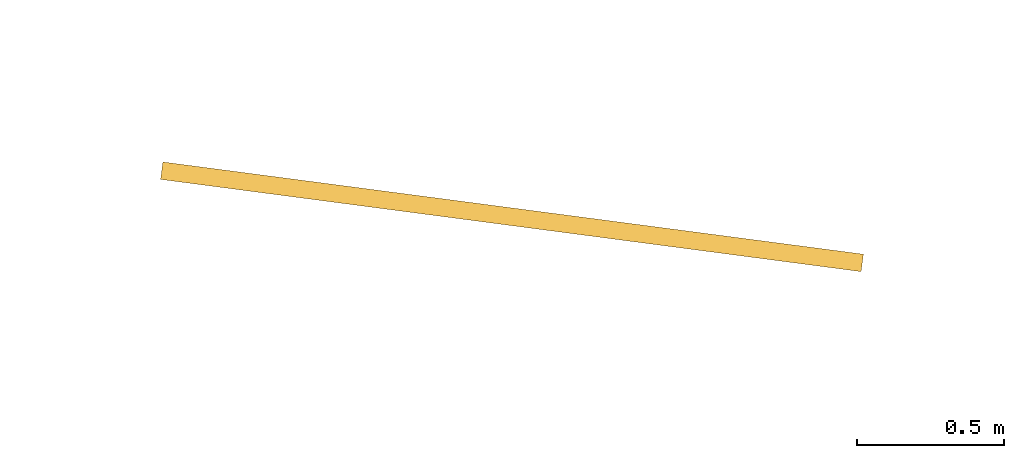
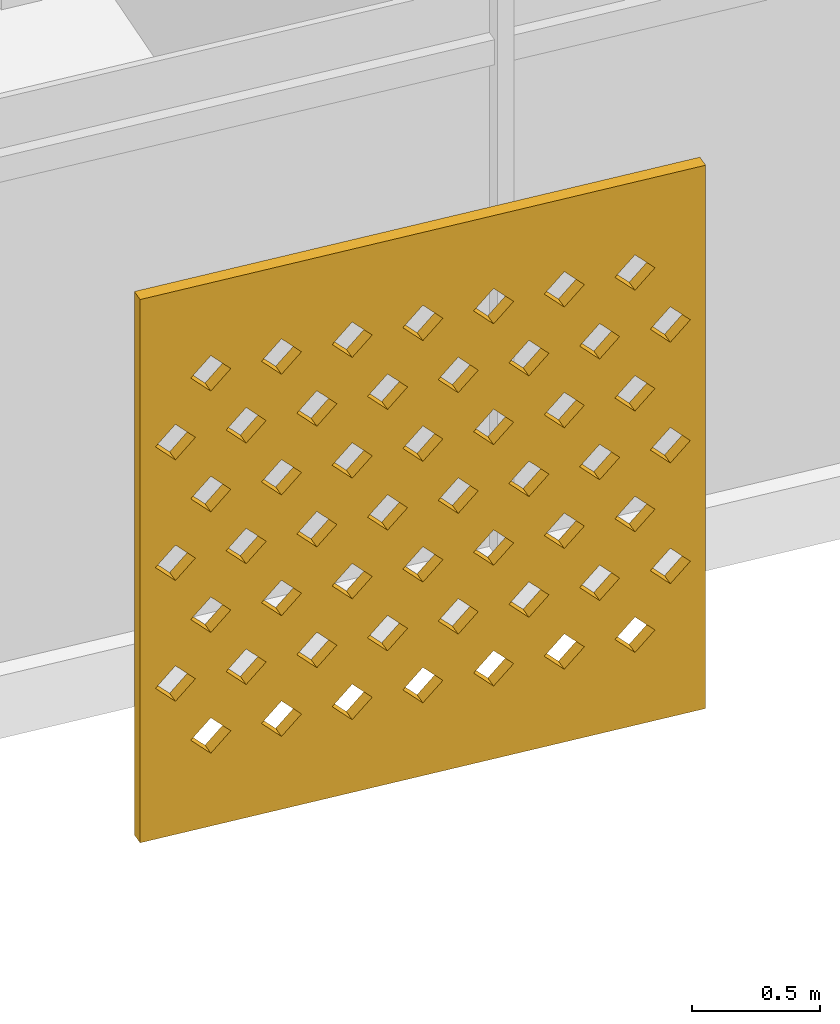
# One storey, part 23 of 27: 1 shading device.
"""IFC4 building model written with IfcOpenShell, lengths in metres."""

from ifc_helpers import new_model, si_unit, direction, frame, origin, place, context, subcontext, project, spatial, polyline, outline, extrude, material, material_profile, profile_set, type_object, element, save


model = new_model("IFC4")

# Units and contexts
model_context = context("Model", 3, precision=1e-05, world=origin(), true_north=direction((0.0, 1.0)))
body_context = subcontext(model_context, "Body", "Model", "MODEL_VIEW")
ifc_project = project(units=[si_unit("LENGTHUNIT", "METRE"), si_unit("AREAUNIT", "SQUARE_METRE"), si_unit("VOLUMEUNIT", "CUBIC_METRE"), si_unit("PLANEANGLEUNIT", "RADIAN"), si_unit("MASSUNIT", "GRAM", prefix="KILO")], contexts=[model_context])

# Site, building, storey
site_placement = place(None, origin())
site = spatial("IfcSite", under=ifc_project, at=site_placement, CompositionType="ELEMENT")
building_placement = place(site_placement, origin())
building = spatial("IfcBuilding", under=site, at=building_placement, Name="Qamariyya Broadcast Tower", CompositionType="ELEMENT")
storey_placement = place(building_placement, frame((0.0, 0.0, 153.10009765625)))
storey = spatial("IfcBuildingStorey", under=building, at=storey_placement, Name="L35", CompositionType="ELEMENT", Elevation=153.10009765625)

# Shading device
ifc_material = material(Name="Perforated glazed terracotta", Category="masonry")
ifc_material_profile = material_profile(ifc_material, outline(polyline([(-1.199951171875, -1.300048828125), (1.199951171875, -1.300048828125), (1.199951171875, 1.300048828125), (-1.199951171875, 1.300048828125), (-1.199951171875, -1.300048828125)]), holes=[polyline([(-0.81494140625, -0.86669921875), (-0.89990234375, -0.78173828125), (-0.985107421875, -0.86669921875), (-0.89990234375, -0.95166015625), (-0.81494140625, -0.86669921875)]), polyline([(-0.514892578125, -0.86669921875), (-0.60009765625, -0.78173828125), (-0.68505859375, -0.86669921875), (-0.60009765625, -0.95166015625), (-0.514892578125, -0.86669921875)]), polyline([(-0.215087890625, -0.86669921875), (-0.300048828125, -0.78173828125), (-0.385009765625, -0.86669921875), (-0.300048828125, -0.95166015625), (-0.215087890625, -0.86669921875)]), polyline([(0.0849609375, -0.86669921875), (0.0, -0.78173828125), (-0.0849609375, -0.86669921875), (0.0, -0.95166015625), (0.0849609375, -0.86669921875)]), polyline([(0.385009765625, -0.86669921875), (0.300048828125, -0.78173828125), (0.215087890625, -0.86669921875), (0.300048828125, -0.95166015625), (0.385009765625, -0.86669921875)]), polyline([(0.68505859375, -0.86669921875), (0.60009765625, -0.78173828125), (0.514892578125, -0.86669921875), (0.60009765625, -0.95166015625), (0.68505859375, -0.86669921875)]), polyline([(0.985107421875, -0.86669921875), (0.89990234375, -0.78173828125), (0.81494140625, -0.86669921875), (0.89990234375, -0.95166015625), (0.985107421875, -0.86669921875)]), polyline([(-0.965087890625, -0.577880859375), (-1.050048828125, -0.49267578125), (-1.135009765625, -0.577880859375), (-1.050048828125, -0.662841796875), (-0.965087890625, -0.577880859375)]), polyline([(-0.6650390625, -0.577880859375), (-0.75, -0.49267578125), (-0.8349609375, -0.577880859375), (-0.75, -0.662841796875), (-0.6650390625, -0.577880859375)]), polyline([(-0.364990234375, -0.577880859375), (-0.449951171875, -0.49267578125), (-0.534912109375, -0.577880859375), (-0.449951171875, -0.662841796875), (-0.364990234375, -0.577880859375)]), polyline([(-0.06494140625, -0.577880859375), (-0.14990234375, -0.49267578125), (-0.235107421875, -0.577880859375), (-0.14990234375, -0.662841796875), (-0.06494140625, -0.577880859375)]), polyline([(0.235107421875, -0.577880859375), (0.14990234375, -0.49267578125), (0.06494140625, -0.577880859375), (0.14990234375, -0.662841796875), (0.235107421875, -0.577880859375)]), polyline([(0.534912109375, -0.577880859375), (0.449951171875, -0.49267578125), (0.364990234375, -0.577880859375), (0.449951171875, -0.662841796875), (0.534912109375, -0.577880859375)]), polyline([(0.8349609375, -0.577880859375), (0.75, -0.49267578125), (0.6650390625, -0.577880859375), (0.75, -0.662841796875), (0.8349609375, -0.577880859375)]), polyline([(1.135009765625, -0.577880859375), (1.050048828125, -0.49267578125), (0.965087890625, -0.577880859375), (1.050048828125, -0.662841796875), (1.135009765625, -0.577880859375)]), polyline([(-0.81494140625, -0.288818359375), (-0.89990234375, -0.203857421875), (-0.985107421875, -0.288818359375), (-0.89990234375, -0.373779296875), (-0.81494140625, -0.288818359375)]), polyline([(-0.514892578125, -0.288818359375), (-0.60009765625, -0.203857421875), (-0.68505859375, -0.288818359375), (-0.60009765625, -0.373779296875), (-0.514892578125, -0.288818359375)]), polyline([(-0.215087890625, -0.288818359375), (-0.300048828125, -0.203857421875), (-0.385009765625, -0.288818359375), (-0.300048828125, -0.373779296875), (-0.215087890625, -0.288818359375)]), polyline([(0.0849609375, -0.288818359375), (0.0, -0.203857421875), (-0.0849609375, -0.288818359375), (0.0, -0.373779296875), (0.0849609375, -0.288818359375)]), polyline([(0.385009765625, -0.288818359375), (0.300048828125, -0.203857421875), (0.215087890625, -0.288818359375), (0.300048828125, -0.373779296875), (0.385009765625, -0.288818359375)]), polyline([(0.68505859375, -0.288818359375), (0.60009765625, -0.203857421875), (0.514892578125, -0.288818359375), (0.60009765625, -0.373779296875), (0.68505859375, -0.288818359375)]), polyline([(0.985107421875, -0.288818359375), (0.89990234375, -0.203857421875), (0.81494140625, -0.288818359375), (0.89990234375, -0.373779296875), (0.985107421875, -0.288818359375)]), polyline([(-0.965087890625, 0.0), (-1.050048828125, 0.0849609375), (-1.135009765625, 0.0), (-1.050048828125, -0.0849609375), (-0.965087890625, 0.0)]), polyline([(-0.6650390625, 0.0), (-0.75, 0.0849609375), (-0.8349609375, 0.0), (-0.75, -0.0849609375), (-0.6650390625, 0.0)]), polyline([(-0.364990234375, 0.0), (-0.449951171875, 0.0849609375), (-0.534912109375, 0.0), (-0.449951171875, -0.0849609375), (-0.364990234375, 0.0)]), polyline([(-0.06494140625, 0.0), (-0.14990234375, 0.0849609375), (-0.235107421875, 0.0), (-0.14990234375, -0.0849609375), (-0.06494140625, 0.0)]), polyline([(0.235107421875, 0.0), (0.14990234375, 0.0849609375), (0.06494140625, 0.0), (0.14990234375, -0.0849609375), (0.235107421875, 0.0)]), polyline([(0.534912109375, 0.0), (0.449951171875, 0.0849609375), (0.364990234375, 0.0), (0.449951171875, -0.0849609375), (0.534912109375, 0.0)]), polyline([(0.8349609375, 0.0), (0.75, 0.0849609375), (0.6650390625, 0.0), (0.75, -0.0849609375), (0.8349609375, 0.0)]), polyline([(1.135009765625, 0.0), (1.050048828125, 0.0849609375), (0.965087890625, 0.0), (1.050048828125, -0.0849609375), (1.135009765625, 0.0)]), polyline([(-0.81494140625, 0.288818359375), (-0.89990234375, 0.373779296875), (-0.985107421875, 0.288818359375), (-0.89990234375, 0.203857421875), (-0.81494140625, 0.288818359375)]), polyline([(-0.514892578125, 0.288818359375), (-0.60009765625, 0.373779296875), (-0.68505859375, 0.288818359375), (-0.60009765625, 0.203857421875), (-0.514892578125, 0.288818359375)]), polyline([(-0.215087890625, 0.288818359375), (-0.300048828125, 0.373779296875), (-0.385009765625, 0.288818359375), (-0.300048828125, 0.203857421875), (-0.215087890625, 0.288818359375)]), polyline([(0.0849609375, 0.288818359375), (0.0, 0.373779296875), (-0.0849609375, 0.288818359375), (0.0, 0.203857421875), (0.0849609375, 0.288818359375)]), polyline([(0.385009765625, 0.288818359375), (0.300048828125, 0.373779296875), (0.215087890625, 0.288818359375), (0.300048828125, 0.203857421875), (0.385009765625, 0.288818359375)]), polyline([(0.68505859375, 0.288818359375), (0.60009765625, 0.373779296875), (0.514892578125, 0.288818359375), (0.60009765625, 0.203857421875), (0.68505859375, 0.288818359375)]), polyline([(0.985107421875, 0.288818359375), (0.89990234375, 0.373779296875), (0.81494140625, 0.288818359375), (0.89990234375, 0.203857421875), (0.985107421875, 0.288818359375)]), polyline([(-0.965087890625, 0.577880859375), (-1.050048828125, 0.662841796875), (-1.135009765625, 0.577880859375), (-1.050048828125, 0.49267578125), (-0.965087890625, 0.577880859375)]), polyline([(-0.6650390625, 0.577880859375), (-0.75, 0.662841796875), (-0.8349609375, 0.577880859375), (-0.75, 0.49267578125), (-0.6650390625, 0.577880859375)]), polyline([(-0.364990234375, 0.577880859375), (-0.449951171875, 0.662841796875), (-0.534912109375, 0.577880859375), (-0.449951171875, 0.49267578125), (-0.364990234375, 0.577880859375)]), polyline([(-0.06494140625, 0.577880859375), (-0.14990234375, 0.662841796875), (-0.235107421875, 0.577880859375), (-0.14990234375, 0.49267578125), (-0.06494140625, 0.577880859375)]), polyline([(0.235107421875, 0.577880859375), (0.14990234375, 0.662841796875), (0.06494140625, 0.577880859375), (0.14990234375, 0.49267578125), (0.235107421875, 0.577880859375)]), polyline([(0.534912109375, 0.577880859375), (0.449951171875, 0.662841796875), (0.364990234375, 0.577880859375), (0.449951171875, 0.49267578125), (0.534912109375, 0.577880859375)]), polyline([(0.8349609375, 0.577880859375), (0.75, 0.662841796875), (0.6650390625, 0.577880859375), (0.75, 0.49267578125), (0.8349609375, 0.577880859375)]), polyline([(1.135009765625, 0.577880859375), (1.050048828125, 0.662841796875), (0.965087890625, 0.577880859375), (1.050048828125, 0.49267578125), (1.135009765625, 0.577880859375)]), polyline([(-0.81494140625, 0.86669921875), (-0.89990234375, 0.95166015625), (-0.985107421875, 0.86669921875), (-0.89990234375, 0.78173828125), (-0.81494140625, 0.86669921875)]), polyline([(-0.514892578125, 0.86669921875), (-0.60009765625, 0.95166015625), (-0.68505859375, 0.86669921875), (-0.60009765625, 0.78173828125), (-0.514892578125, 0.86669921875)]), polyline([(-0.215087890625, 0.86669921875), (-0.300048828125, 0.95166015625), (-0.385009765625, 0.86669921875), (-0.300048828125, 0.78173828125), (-0.215087890625, 0.86669921875)]), polyline([(0.0849609375, 0.86669921875), (0.0, 0.95166015625), (-0.0849609375, 0.86669921875), (0.0, 0.78173828125), (0.0849609375, 0.86669921875)]), polyline([(0.385009765625, 0.86669921875), (0.300048828125, 0.95166015625), (0.215087890625, 0.86669921875), (0.300048828125, 0.78173828125), (0.385009765625, 0.86669921875)]), polyline([(0.68505859375, 0.86669921875), (0.60009765625, 0.95166015625), (0.514892578125, 0.86669921875), (0.60009765625, 0.78173828125), (0.68505859375, 0.86669921875)]), polyline([(0.985107421875, 0.86669921875), (0.89990234375, 0.95166015625), (0.81494140625, 0.86669921875), (0.89990234375, 0.78173828125), (0.985107421875, 0.86669921875)])]))
ifc_profile_set = profile_set([ifc_material_profile], Name="Perforated glazed terracotta")
shading_device_type = type_object("IfcShadingDeviceType", Name="Perforated terracotta screen 2400 x 2600", PredefinedType="USERDEFINED", material=ifc_profile_set)
shading_device_placement = place(storey_placement, frame((-13.057861328125, -79.072998046875, 1.349853515625), z_axis=(-0.13056005306, -0.991440402921, 0.0), x_axis=(0.991440402921, -0.13056005306, 0.0)))
element("IfcShadingDevice", 1, at=shading_device_placement, inside=storey, type_object=shading_device_type, Name="e-scr-L35-06-0", ObjectType="SCREEN", PredefinedType="USERDEFINED", context=body_context, shape_type="SweptSolid", body=[
    extrude(outline(polyline([(-1.199951171875, -1.300048828125), (1.199951171875, -1.300048828125), (1.199951171875, 1.300048828125), (-1.199951171875, 1.300048828125), (-1.199951171875, -1.300048828125)]), holes=[polyline([(-0.81494140625, -0.86669921875), (-0.89990234375, -0.78173828125), (-0.985107421875, -0.86669921875), (-0.89990234375, -0.95166015625), (-0.81494140625, -0.86669921875)]), polyline([(-0.514892578125, -0.86669921875), (-0.60009765625, -0.78173828125), (-0.68505859375, -0.86669921875), (-0.60009765625, -0.95166015625), (-0.514892578125, -0.86669921875)]), polyline([(-0.215087890625, -0.86669921875), (-0.300048828125, -0.78173828125), (-0.385009765625, -0.86669921875), (-0.300048828125, -0.95166015625), (-0.215087890625, -0.86669921875)]), polyline([(0.0849609375, -0.86669921875), (0.0, -0.78173828125), (-0.0849609375, -0.86669921875), (0.0, -0.95166015625), (0.0849609375, -0.86669921875)]), polyline([(0.385009765625, -0.86669921875), (0.300048828125, -0.78173828125), (0.215087890625, -0.86669921875), (0.300048828125, -0.95166015625), (0.385009765625, -0.86669921875)]), polyline([(0.68505859375, -0.86669921875), (0.60009765625, -0.78173828125), (0.514892578125, -0.86669921875), (0.60009765625, -0.95166015625), (0.68505859375, -0.86669921875)]), polyline([(0.985107421875, -0.86669921875), (0.89990234375, -0.78173828125), (0.81494140625, -0.86669921875), (0.89990234375, -0.95166015625), (0.985107421875, -0.86669921875)]), polyline([(-0.965087890625, -0.577880859375), (-1.050048828125, -0.49267578125), (-1.135009765625, -0.577880859375), (-1.050048828125, -0.662841796875), (-0.965087890625, -0.577880859375)]), polyline([(-0.6650390625, -0.577880859375), (-0.75, -0.49267578125), (-0.8349609375, -0.577880859375), (-0.75, -0.662841796875), (-0.6650390625, -0.577880859375)]), polyline([(-0.364990234375, -0.577880859375), (-0.449951171875, -0.49267578125), (-0.534912109375, -0.577880859375), (-0.449951171875, -0.662841796875), (-0.364990234375, -0.577880859375)]), polyline([(-0.06494140625, -0.577880859375), (-0.14990234375, -0.49267578125), (-0.235107421875, -0.577880859375), (-0.14990234375, -0.662841796875), (-0.06494140625, -0.577880859375)]), polyline([(0.235107421875, -0.577880859375), (0.14990234375, -0.49267578125), (0.06494140625, -0.577880859375), (0.14990234375, -0.662841796875), (0.235107421875, -0.577880859375)]), polyline([(0.534912109375, -0.577880859375), (0.449951171875, -0.49267578125), (0.364990234375, -0.577880859375), (0.449951171875, -0.662841796875), (0.534912109375, -0.577880859375)]), polyline([(0.8349609375, -0.577880859375), (0.75, -0.49267578125), (0.6650390625, -0.577880859375), (0.75, -0.662841796875), (0.8349609375, -0.577880859375)]), polyline([(1.135009765625, -0.577880859375), (1.050048828125, -0.49267578125), (0.965087890625, -0.577880859375), (1.050048828125, -0.662841796875), (1.135009765625, -0.577880859375)]), polyline([(-0.81494140625, -0.288818359375), (-0.89990234375, -0.203857421875), (-0.985107421875, -0.288818359375), (-0.89990234375, -0.373779296875), (-0.81494140625, -0.288818359375)]), polyline([(-0.514892578125, -0.288818359375), (-0.60009765625, -0.203857421875), (-0.68505859375, -0.288818359375), (-0.60009765625, -0.373779296875), (-0.514892578125, -0.288818359375)]), polyline([(-0.215087890625, -0.288818359375), (-0.300048828125, -0.203857421875), (-0.385009765625, -0.288818359375), (-0.300048828125, -0.373779296875), (-0.215087890625, -0.288818359375)]), polyline([(0.0849609375, -0.288818359375), (0.0, -0.203857421875), (-0.0849609375, -0.288818359375), (0.0, -0.373779296875), (0.0849609375, -0.288818359375)]), polyline([(0.385009765625, -0.288818359375), (0.300048828125, -0.203857421875), (0.215087890625, -0.288818359375), (0.300048828125, -0.373779296875), (0.385009765625, -0.288818359375)]), polyline([(0.68505859375, -0.288818359375), (0.60009765625, -0.203857421875), (0.514892578125, -0.288818359375), (0.60009765625, -0.373779296875), (0.68505859375, -0.288818359375)]), polyline([(0.985107421875, -0.288818359375), (0.89990234375, -0.203857421875), (0.81494140625, -0.288818359375), (0.89990234375, -0.373779296875), (0.985107421875, -0.288818359375)]), polyline([(-0.965087890625, 0.0), (-1.050048828125, 0.0849609375), (-1.135009765625, 0.0), (-1.050048828125, -0.0849609375), (-0.965087890625, 0.0)]), polyline([(-0.6650390625, 0.0), (-0.75, 0.0849609375), (-0.8349609375, 0.0), (-0.75, -0.0849609375), (-0.6650390625, 0.0)]), polyline([(-0.364990234375, 0.0), (-0.449951171875, 0.0849609375), (-0.534912109375, 0.0), (-0.449951171875, -0.0849609375), (-0.364990234375, 0.0)]), polyline([(-0.06494140625, 0.0), (-0.14990234375, 0.0849609375), (-0.235107421875, 0.0), (-0.14990234375, -0.0849609375), (-0.06494140625, 0.0)]), polyline([(0.235107421875, 0.0), (0.14990234375, 0.0849609375), (0.06494140625, 0.0), (0.14990234375, -0.0849609375), (0.235107421875, 0.0)]), polyline([(0.534912109375, 0.0), (0.449951171875, 0.0849609375), (0.364990234375, 0.0), (0.449951171875, -0.0849609375), (0.534912109375, 0.0)]), polyline([(0.8349609375, 0.0), (0.75, 0.0849609375), (0.6650390625, 0.0), (0.75, -0.0849609375), (0.8349609375, 0.0)]), polyline([(1.135009765625, 0.0), (1.050048828125, 0.0849609375), (0.965087890625, 0.0), (1.050048828125, -0.0849609375), (1.135009765625, 0.0)]), polyline([(-0.81494140625, 0.288818359375), (-0.89990234375, 0.373779296875), (-0.985107421875, 0.288818359375), (-0.89990234375, 0.203857421875), (-0.81494140625, 0.288818359375)]), polyline([(-0.514892578125, 0.288818359375), (-0.60009765625, 0.373779296875), (-0.68505859375, 0.288818359375), (-0.60009765625, 0.203857421875), (-0.514892578125, 0.288818359375)]), polyline([(-0.215087890625, 0.288818359375), (-0.300048828125, 0.373779296875), (-0.385009765625, 0.288818359375), (-0.300048828125, 0.203857421875), (-0.215087890625, 0.288818359375)]), polyline([(0.0849609375, 0.288818359375), (0.0, 0.373779296875), (-0.0849609375, 0.288818359375), (0.0, 0.203857421875), (0.0849609375, 0.288818359375)]), polyline([(0.385009765625, 0.288818359375), (0.300048828125, 0.373779296875), (0.215087890625, 0.288818359375), (0.300048828125, 0.203857421875), (0.385009765625, 0.288818359375)]), polyline([(0.68505859375, 0.288818359375), (0.60009765625, 0.373779296875), (0.514892578125, 0.288818359375), (0.60009765625, 0.203857421875), (0.68505859375, 0.288818359375)]), polyline([(0.985107421875, 0.288818359375), (0.89990234375, 0.373779296875), (0.81494140625, 0.288818359375), (0.89990234375, 0.203857421875), (0.985107421875, 0.288818359375)]), polyline([(-0.965087890625, 0.577880859375), (-1.050048828125, 0.662841796875), (-1.135009765625, 0.577880859375), (-1.050048828125, 0.49267578125), (-0.965087890625, 0.577880859375)]), polyline([(-0.6650390625, 0.577880859375), (-0.75, 0.662841796875), (-0.8349609375, 0.577880859375), (-0.75, 0.49267578125), (-0.6650390625, 0.577880859375)]), polyline([(-0.364990234375, 0.577880859375), (-0.449951171875, 0.662841796875), (-0.534912109375, 0.577880859375), (-0.449951171875, 0.49267578125), (-0.364990234375, 0.577880859375)]), polyline([(-0.06494140625, 0.577880859375), (-0.14990234375, 0.662841796875), (-0.235107421875, 0.577880859375), (-0.14990234375, 0.49267578125), (-0.06494140625, 0.577880859375)]), polyline([(0.235107421875, 0.577880859375), (0.14990234375, 0.662841796875), (0.06494140625, 0.577880859375), (0.14990234375, 0.49267578125), (0.235107421875, 0.577880859375)]), polyline([(0.534912109375, 0.577880859375), (0.449951171875, 0.662841796875), (0.364990234375, 0.577880859375), (0.449951171875, 0.49267578125), (0.534912109375, 0.577880859375)]), polyline([(0.8349609375, 0.577880859375), (0.75, 0.662841796875), (0.6650390625, 0.577880859375), (0.75, 0.49267578125), (0.8349609375, 0.577880859375)]), polyline([(1.135009765625, 0.577880859375), (1.050048828125, 0.662841796875), (0.965087890625, 0.577880859375), (1.050048828125, 0.49267578125), (1.135009765625, 0.577880859375)]), polyline([(-0.81494140625, 0.86669921875), (-0.89990234375, 0.95166015625), (-0.985107421875, 0.86669921875), (-0.89990234375, 0.78173828125), (-0.81494140625, 0.86669921875)]), polyline([(-0.514892578125, 0.86669921875), (-0.60009765625, 0.95166015625), (-0.68505859375, 0.86669921875), (-0.60009765625, 0.78173828125), (-0.514892578125, 0.86669921875)]), polyline([(-0.215087890625, 0.86669921875), (-0.300048828125, 0.95166015625), (-0.385009765625, 0.86669921875), (-0.300048828125, 0.78173828125), (-0.215087890625, 0.86669921875)]), polyline([(0.0849609375, 0.86669921875), (0.0, 0.95166015625), (-0.0849609375, 0.86669921875), (0.0, 0.78173828125), (0.0849609375, 0.86669921875)]), polyline([(0.385009765625, 0.86669921875), (0.300048828125, 0.95166015625), (0.215087890625, 0.86669921875), (0.300048828125, 0.78173828125), (0.385009765625, 0.86669921875)]), polyline([(0.68505859375, 0.86669921875), (0.60009765625, 0.95166015625), (0.514892578125, 0.86669921875), (0.60009765625, 0.78173828125), (0.68505859375, 0.86669921875)]), polyline([(0.985107421875, 0.86669921875), (0.89990234375, 0.95166015625), (0.81494140625, 0.86669921875), (0.89990234375, 0.78173828125), (0.985107421875, 0.86669921875)])]), origin(), (0.0, 0.0, 1.0), 0.059814453125),
])

save(model, "model.ifc")
